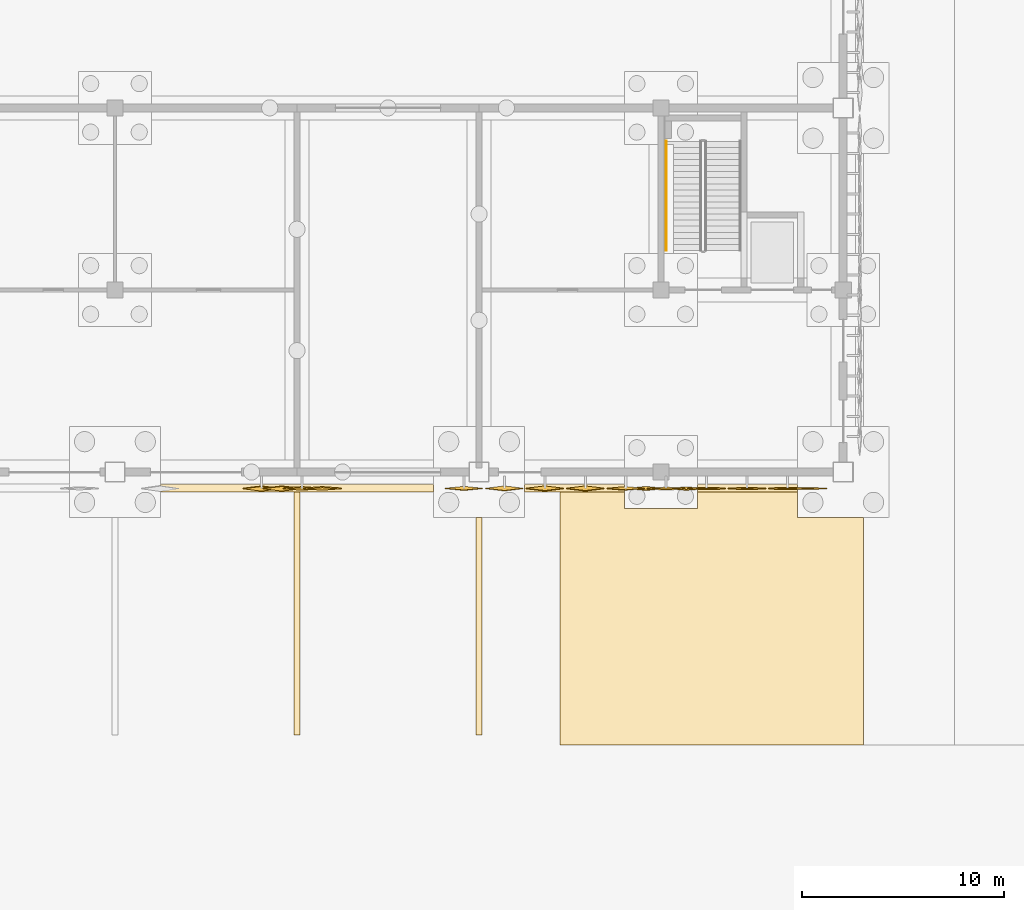
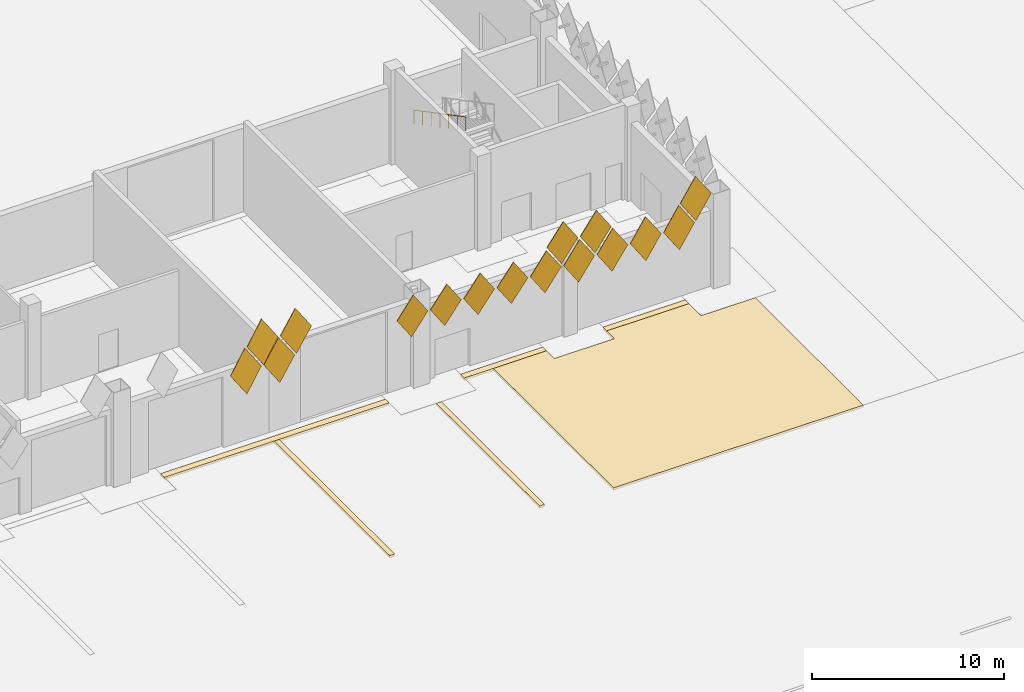
# One storey, part 161 of 198: 22 coverings, 1 railing.
"""IFC4 building model written with IfcOpenShell, lengths in metres."""

from ifc_helpers import new_model, si_unit, direction, frame, origin, origin_2d, place, context, subcontext, project, spatial, polyline, circle, outline, extrude, material, layer, layer_set, material_profile, profile_set, type_object, element, save


model = new_model("IFC4")

# Units and contexts
model_context = context("Model", 3, precision=1e-05, world=origin(), true_north=direction((0.0, 1.0)))
body_context = subcontext(model_context, "Body", "Model", "MODEL_VIEW")
ifc_project = project(units=[si_unit("LENGTHUNIT", "METRE"), si_unit("AREAUNIT", "SQUARE_METRE"), si_unit("VOLUMEUNIT", "CUBIC_METRE"), si_unit("PLANEANGLEUNIT", "RADIAN"), si_unit("MASSUNIT", "GRAM", prefix="KILO")], contexts=[model_context])

# Site, building, storey
site_placement = place(None, origin())
site = spatial("IfcSite", under=ifc_project, at=site_placement, CompositionType="ELEMENT")
building_placement = place(site_placement, origin())
building = spatial("IfcBuilding", under=site, at=building_placement, Name="Opaline Strait Convention Centre", CompositionType="ELEMENT")
storey_placement = place(building_placement, origin())
storey = spatial("IfcBuildingStorey", under=building, at=storey_placement, Name="L00", CompositionType="ELEMENT", Elevation=0.0)

# Coverings
ifc_material_1 = material(Name="White ceramic-faced aluminium tile", Category="aluminium")
ifc_material_profile_1 = material_profile(ifc_material_1, outline(polyline([(0.927978515625, 0.0), (0.0, 1.39208984375), (-0.927978515625, 0.0), (0.0, -1.39208984375), (0.927978515625, 0.0)])), Name="Diamond tile 1856x2784")
ifc_profile_set_1 = profile_set([ifc_material_profile_1], Name="White ceramic-faced aluminium tile")
covering_type_1 = type_object("IfcCoveringType", Name="Diamond wall tile 1856x2784x30 pivot 1 deg", PredefinedType="CLADDING", material=ifc_profile_set_1)
for number, where, z_axis, x_axis, name in (
    (1, (254.25, 53.199951171875, 4.89208984375), (0.0, -0.999702690643, -0.024382992455), (1.0, 0.0, 0.0), "Wall tile XT02 S"),
    (2, (256.25, 53.199951171875, 4.89208984375), (0.0, -0.999867829764, 0.016258013492), (1.0, 0.0, 0.0), "Wall tile XT02 S"),
    (3, (259.25, 53.199951171875, 6.39208984375), (0.0, -0.999867829764, 0.016258013492), (1.0, 0.0, 0.0), "Wall tile XT02 S"),
):
    element("IfcCovering", number, at=place(storey_placement, frame(where, z_axis=z_axis, x_axis=x_axis)), inside=storey, type_object=covering_type_1, Name=name, PredefinedType="CLADDING", context=body_context, shape_type="SweptSolid", body=[
        extrude(outline(polyline([(0.927978515625, 0.0), (0.0, 1.39208984375), (-0.927978515625, 0.0), (0.0, -1.39208984375), (0.927978515625, 0.0)])), origin(), (0.0, 0.0, 1.0), 0.030029296875),
    ])
ifc_material_profile_2 = material_profile(ifc_material_1, outline(polyline([(0.927978515625, 0.0), (0.0, 1.39208984375), (-0.927978515625, 0.0), (0.0, -1.39208984375), (0.927978515625, 0.0)])), Name="Diamond tile 1856x2784")
ifc_profile_set_2 = profile_set([ifc_material_profile_2], Name="White ceramic-faced aluminium tile")
covering_type_2 = type_object("IfcCoveringType", Name="Diamond wall tile 1856x2784x30 pivot 1.5 deg", PredefinedType="CLADDING", material=ifc_profile_set_2)
covering_1_placement = place(storey_placement, frame((258.25, 53.199951171875, 4.89208984375), z_axis=(0.0, -0.999702690643, 0.024382992455), x_axis=(1.0, 0.0, 0.0)))
element("IfcCovering", 4, at=covering_1_placement, inside=storey, type_object=covering_type_2, Name="Wall tile XT03 S", PredefinedType="CLADDING", context=body_context, shape_type="SweptSolid", body=[
    extrude(outline(polyline([(0.927978515625, 0.0), (0.0, 1.39208984375), (-0.927978515625, 0.0), (0.0, -1.39208984375), (0.927978515625, 0.0)])), origin(), (0.0, 0.0, 1.0), 0.030029296875),
])
ifc_material_profile_3 = material_profile(ifc_material_1, outline(polyline([(0.927978515625, 0.0), (0.0, 1.39208984375), (-0.927978515625, 0.0), (0.0, -1.39208984375), (0.927978515625, 0.0)])), Name="Diamond tile 1856x2784")
ifc_profile_set_3 = profile_set([ifc_material_profile_3], Name="White ceramic-faced aluminium tile")
covering_type_3 = type_object("IfcCoveringType", Name="Diamond wall tile 1856x2784x30 pivot 2 deg", PredefinedType="CLADDING", material=ifc_profile_set_3)
covering_2_placement = place(storey_placement, frame((252.25, 53.199951171875, 4.89208984375), z_axis=(0.0, -0.999174794796, -0.040616861577), x_axis=(1.0, 0.0, 0.0)))
element("IfcCovering", 5, at=covering_2_placement, inside=storey, type_object=covering_type_3, Name="Wall tile XT04 S", PredefinedType="CLADDING", context=body_context, shape_type="SweptSolid", body=[
    extrude(outline(polyline([(0.927978515625, 0.0), (0.0, 1.39208984375), (-0.927978515625, 0.0), (0.0, -1.39208984375), (0.927978515625, 0.0)])), origin(), (0.0, 0.0, 1.0), 0.030029296875),
])
ifc_material_profile_4 = material_profile(ifc_material_1, outline(polyline([(0.927978515625, 0.0), (0.0, 1.39208984375), (-0.927978515625, 0.0), (0.0, -1.39208984375), (0.927978515625, 0.0)])), Name="Diamond tile 1856x2784")
ifc_profile_set_4 = profile_set([ifc_material_profile_4], Name="White ceramic-faced aluminium tile")
covering_type_4 = type_object("IfcCoveringType", Name="Diamond wall tile 1856x2784x30 pivot 2.5 deg", PredefinedType="CLADDING", material=ifc_profile_set_4)
covering_3_placement = place(storey_placement, frame((253.25, 53.199951171875, 6.39208984375), z_axis=(0.0, -0.998812351125, -0.048722553713), x_axis=(1.0, 0.0, 0.0)))
element("IfcCovering", 6, at=covering_3_placement, inside=storey, type_object=covering_type_4, Name="Wall tile XT05 S", PredefinedType="CLADDING", context=body_context, shape_type="SweptSolid", body=[
    extrude(outline(polyline([(0.927978515625, 0.0), (0.0, 1.39208984375), (-0.927978515625, 0.0), (0.0, -1.39208984375), (0.927978515625, 0.0)])), origin(), (0.0, 0.0, 1.0), 0.030029296875),
])
ifc_material_profile_5 = material_profile(ifc_material_1, outline(polyline([(0.927978515625, 0.0), (0.0, 1.39208984375), (-0.927978515625, 0.0), (0.0, -1.39208984375), (0.927978515625, 0.0)])), Name="Diamond tile 1856x2784")
ifc_profile_set_5 = profile_set([ifc_material_profile_5], Name="White ceramic-faced aluminium tile")
covering_type_5 = type_object("IfcCoveringType", Name="Diamond wall tile 1856x2784x30 pivot 3 deg", PredefinedType="CLADDING", material=ifc_profile_set_5)
for number, where, z_axis, x_axis, name in (
    (7, (234.25, 53.199951171875, 4.89208984375), (0.0, -0.998812351125, 0.048722553713), (1.0, 0.0, 0.0), "Wall tile XT06 S"),
    (8, (250.25, 53.199951171875, 4.89208984375), (0.0, -0.998384516691, -0.056818631031), (1.0, 0.0, 0.0), "Wall tile XT06 S"),
    (9, (235.25, 53.199951171875, 6.39208984375), (0.0, -0.998812351125, 0.048722553713), (1.0, 0.0, 0.0), "Wall tile XT06 S"),
):
    element("IfcCovering", number, at=place(storey_placement, frame(where, z_axis=z_axis, x_axis=x_axis)), inside=storey, type_object=covering_type_5, Name=name, PredefinedType="CLADDING", context=body_context, shape_type="SweptSolid", body=[
        extrude(outline(polyline([(0.927978515625, 0.0), (0.0, 1.39208984375), (-0.927978515625, 0.0), (0.0, -1.39208984375), (0.927978515625, 0.0)])), origin(), (0.0, 0.0, 1.0), 0.030029296875),
    ])
ifc_material_profile_6 = material_profile(ifc_material_1, outline(polyline([(0.927978515625, 0.0), (0.0, 1.39208984375), (-0.927978515625, 0.0), (0.0, -1.39208984375), (0.927978515625, 0.0)])), Name="Diamond tile 1856x2784")
ifc_profile_set_6 = profile_set([ifc_material_profile_6], Name="White ceramic-faced aluminium tile")
covering_type_6 = type_object("IfcCoveringType", Name="Diamond wall tile 1856x2784x30 pivot 3.5 deg", PredefinedType="CLADDING", material=ifc_profile_set_6)
for number, where, z_axis, x_axis, name in (
    (10, (242.25, 53.199951171875, 4.89208984375), (0.0, -0.99785694905, -0.065433242561), (1.0, 0.0, 0.0), "Wall tile XT07 S"),
    (11, (251.25, 53.199951171875, 6.39208984375), (0.0, -0.99785694905, -0.065433242561), (1.0, 0.0, 0.0), "Wall tile XT07 S"),
):
    element("IfcCovering", number, at=place(storey_placement, frame(where, z_axis=z_axis, x_axis=x_axis)), inside=storey, type_object=covering_type_6, Name=name, PredefinedType="CLADDING", context=body_context, shape_type="SweptSolid", body=[
        extrude(outline(polyline([(0.927978515625, 0.0), (0.0, 1.39208984375), (-0.927978515625, 0.0), (0.0, -1.39208984375), (0.927978515625, 0.0)])), origin(), (0.0, 0.0, 1.0), 0.02978515625),
    ])
ifc_material_profile_7 = material_profile(ifc_material_1, outline(polyline([(0.927978515625, 0.0), (0.0, 1.39208984375), (-0.927978515625, 0.0), (0.0, -1.39208984375), (0.927978515625, 0.0)])), Name="Diamond tile 1856x2784")
ifc_profile_set_7 = profile_set([ifc_material_profile_7], Name="White ceramic-faced aluminium tile")
covering_type_7 = type_object("IfcCoveringType", Name="Diamond wall tile 1856x2784x30 pivot 4.5 deg", PredefinedType="CLADDING", material=ifc_profile_set_7)
for number, where, z_axis, x_axis, name in (
    (12, (244.25, 53.199951171875, 4.89208984375), (0.0, -0.996657521232, -0.081693239445), (1.0, 0.0, 0.0), "Wall tile XT09 S"),
    (13, (246.25, 53.199951171875, 4.89208984375), (0.0, -0.996657521232, -0.081693239445), (1.0, 0.0, 0.0), "Wall tile XT09 S"),
    (14, (248.25, 53.199951171875, 4.89208984375), (0.0, -0.996657521232, -0.081693239445), (1.0, 0.0, 0.0), "Wall tile XT09 S"),
):
    element("IfcCovering", number, at=place(storey_placement, frame(where, z_axis=z_axis, x_axis=x_axis)), inside=storey, type_object=covering_type_7, Name=name, PredefinedType="CLADDING", context=body_context, shape_type="SweptSolid", body=[
        extrude(outline(polyline([(0.927978515625, 0.0), (0.0, 1.39208984375), (-0.927978515625, 0.0), (0.0, -1.39208984375), (0.927978515625, 0.0)])), origin(), (0.0, 0.0, 1.0), 0.02978515625),
    ])
ifc_material_profile_8 = material_profile(ifc_material_1, outline(polyline([(0.927978515625, 0.0), (0.0, 1.39208984375), (-0.927978515625, 0.0), (0.0, -1.39208984375), (0.927978515625, 0.0)])), Name="Diamond tile 1856x2784")
ifc_profile_set_8 = profile_set([ifc_material_profile_8], Name="White ceramic-faced aluminium tile")
covering_type_8 = type_object("IfcCoveringType", Name="Diamond wall tile 1856x2784x30 pivot 5 deg", PredefinedType="CLADDING", material=ifc_profile_set_8)
for number, where, z_axis, x_axis, name in (
    (15, (232.25, 53.199951171875, 4.89208984375), (0.0, -0.996657521232, 0.081693239445), (1.0, 0.0, 0.0), "Wall tile XT10 S"),
    (16, (233.25, 53.199951171875, 6.39208984375), (0.0, -0.996657521232, 0.081693239445), (1.0, 0.0, 0.0), "Wall tile XT10 S"),
):
    element("IfcCovering", number, at=place(storey_placement, frame(where, z_axis=z_axis, x_axis=x_axis)), inside=storey, type_object=covering_type_8, Name=name, PredefinedType="CLADDING", context=body_context, shape_type="SweptSolid", body=[
        extrude(outline(polyline([(0.927978515625, 0.0), (0.0, 1.39208984375), (-0.927978515625, 0.0), (0.0, -1.39208984375), (0.927978515625, 0.0)])), origin(), (0.0, 0.0, 1.0), 0.02978515625),
    ])
ifc_material_2 = material(Name="Concrete C30 red oxide", Category="concrete")
ifc_layer_1 = layer(ifc_material_2, 0.14990234375)
ifc_layer_set_1 = layer_set([ifc_layer_1], Name="Concrete C30 red oxide")
covering_type_9 = type_object("IfcCoveringType", Name="Fire lane concrete paving 150 C30", PredefinedType="FLOORING", material=ifc_layer_set_1)
covering_4_placement = place(storey_placement, frame((0.0, 0.0, -0.14990234375)))
element("IfcCovering", 17, at=covering_4_placement, inside=storey, type_object=covering_type_9, Name="Fire Rescue Pad Exhibition South 2 surfacing", PredefinedType="FLOORING", context=body_context, shape_type="SweptSolid", body=[
    extrude(outline(polyline([(247.0, 40.5), (262.0, 40.5), (262.0, 51.7451171875), (258.7451171875, 51.7451171875), (258.7451171875, 53.0), (253.804931640625, 53.0), (253.804931640625, 52.195068359375), (250.195068359375, 52.195068359375), (250.195068359375, 53.0), (247.0, 53.0), (247.0, 40.5)])), origin(), (0.0, 0.0, 1.0), 0.14990234375),
])
ifc_material_3 = material(Name="Concrete C30 exposed aggregate", Category="concrete")
ifc_layer_2 = layer(ifc_material_3, 0.14990234375)
ifc_layer_set_2 = layer_set([ifc_layer_2], Name="Concrete C30 exposed aggregate")
covering_type_10 = type_object("IfcCoveringType", Name="Site paving 150", PredefinedType="FLOORING", material=ifc_layer_set_2)
covering_5_placement = place(storey_placement, frame((0.0, 0.0, -0.14990234375)))
element("IfcCovering", 18, at=covering_5_placement, inside=storey, type_object=covering_type_10, Name="Site paving surfacing", PredefinedType="FLOORING", context=body_context, shape_type="SweptSolid", body=[
    extrude(outline(polyline([(227.2548828125, 53.39501953125), (227.2548828125, 53.0), (240.7451171875, 53.0), (240.7451171875, 53.39501953125), (227.2548828125, 53.39501953125)])), origin(), (0.0, 0.0, 1.0), 0.14990234375),
])
covering_6_placement = place(storey_placement, frame((0.0, 0.0, -0.14990234375)))
element("IfcCovering", 19, at=covering_6_placement, inside=storey, type_object=covering_type_10, Name="Site paving surfacing", PredefinedType="FLOORING", context=body_context, shape_type="SweptSolid", body=[
    extrude(outline(polyline([(245.2548828125, 53.0), (247.0, 53.0), (250.195068359375, 53.0), (250.195068359375, 53.39501953125), (245.2548828125, 53.39501953125), (245.2548828125, 53.0)])), origin(), (0.0, 0.0, 1.0), 0.14990234375),
])
covering_7_placement = place(storey_placement, frame((0.0, 0.0, -0.14990234375)))
element("IfcCovering", 20, at=covering_7_placement, inside=storey, type_object=covering_type_10, Name="Site paving surfacing", PredefinedType="FLOORING", context=body_context, shape_type="SweptSolid", body=[
    extrude(outline(polyline([(253.804931640625, 53.39501953125), (253.804931640625, 53.0), (258.7451171875, 53.0), (258.7451171875, 53.39501953125), (253.804931640625, 53.39501953125)])), origin(), (0.0, 0.0, 1.0), 0.14990234375),
])

# Railing
ifc_material_4 = material(Name="Stainless steel 304", Category="steel")
railing_type = type_object("IfcRailingType", Name="Stair handrail 900", PredefinedType="HANDRAIL", material=ifc_material_4)
railing_placement = place(storey_placement, frame((252.25, 70.35009765625, 3.157958984375)))
element("IfcRailing", 21, at=railing_placement, inside=storey, type_object=railing_type, Name="L00 XST4 stair handrail 2", PredefinedType="HANDRAIL", context=body_context, shape_type="SweptSolid", body=[
    extrude(circle(Radius=0.02392578125, at=origin_2d()), frame((0.0, 0.0, 0.8759765625), z_axis=(0.0, -0.884927768474, 0.465728294806), x_axis=(1.0, 0.0, 0.0)), (0.0, 0.0, 1.0), 6.102294921875),
    extrude(circle(Radius=0.02099609375, at=origin_2d()), origin(), (0.0, 0.0, 1.0), 0.851806640625),
    extrude(circle(Radius=0.02099609375, at=origin_2d()), frame((0.0, -0.89990234375, 0.4736328125)), (0.0, 0.0, 1.0), 0.851806640625),
    extrude(circle(Radius=0.02099609375, at=origin_2d()), frame((0.0, -1.800048828125, 0.947265625)), (0.0, 0.0, 1.0), 0.851806640625),
    extrude(circle(Radius=0.02099609375, at=origin_2d()), frame((0.0, -2.7001953125, 1.4208984375)), (0.0, 0.0, 1.0), 0.851806640625),
    extrude(circle(Radius=0.02099609375, at=origin_2d()), frame((0.0, -3.60009765625, 1.894775390625)), (0.0, 0.0, 1.0), 0.851806640625),
    extrude(circle(Radius=0.02099609375, at=origin_2d()), frame((0.0, -4.5, 2.368408203125)), (0.0, 0.0, 1.0), 0.851806640625),
    extrude(circle(Radius=0.02099609375, at=origin_2d()), frame((0.0, -5.400146484375, 2.842041015625)), (0.0, 0.0, 1.0), 0.851806640625),
])

# Coverings
ifc_material_5 = material(Name="Road marking paint on concrete", Category="concrete")
ifc_layer_3 = layer(ifc_material_5, 0.14990234375)
ifc_layer_set_3 = layer_set([ifc_layer_3], Name="Road marking paint on concrete")
covering_type_11 = type_object("IfcCoveringType", Name="Yard marking strip 150", PredefinedType="FLOORING", material=ifc_layer_set_3)
covering_8_placement = place(storey_placement, frame((0.0, 0.0, -0.14990234375)))
element("IfcCovering", 22, at=covering_8_placement, inside=storey, type_object=covering_type_11, Name="Truck bay line 16 surfacing", PredefinedType="FLOORING", context=body_context, shape_type="SweptSolid", body=[
    extrude(outline(polyline([(233.85009765625, 53.0), (233.85009765625, 41.0), (234.14990234375, 41.0), (234.14990234375, 53.0), (233.85009765625, 53.0)])), origin(), (0.0, 0.0, 1.0), 0.14990234375),
])
covering_9_placement = place(storey_placement, frame((0.0, 0.0, -0.14990234375)))
element("IfcCovering", 23, at=covering_9_placement, inside=storey, type_object=covering_type_11, Name="Truck bay line 17 surfacing", PredefinedType="FLOORING", context=body_context, shape_type="SweptSolid", body=[
    extrude(outline(polyline([(242.85009765625, 51.7451171875), (242.85009765625, 41.0), (243.14990234375, 41.0), (243.14990234375, 51.7451171875), (242.85009765625, 51.7451171875)])), origin(), (0.0, 0.0, 1.0), 0.14990234375),
])

save(model, "model.ifc")
